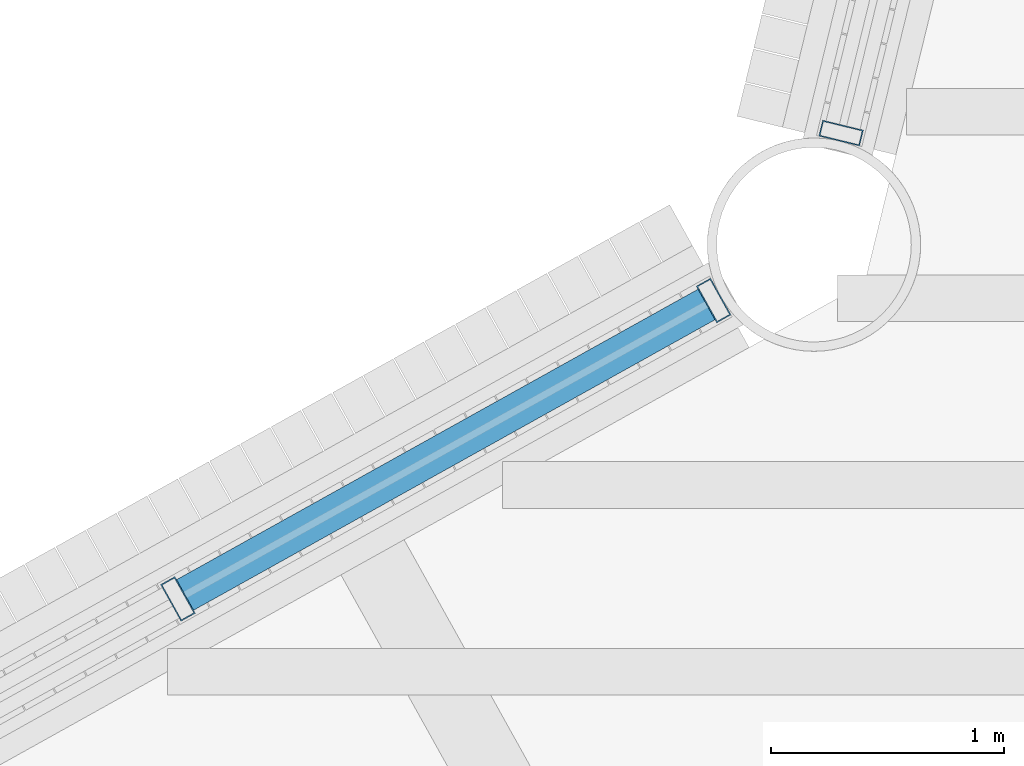
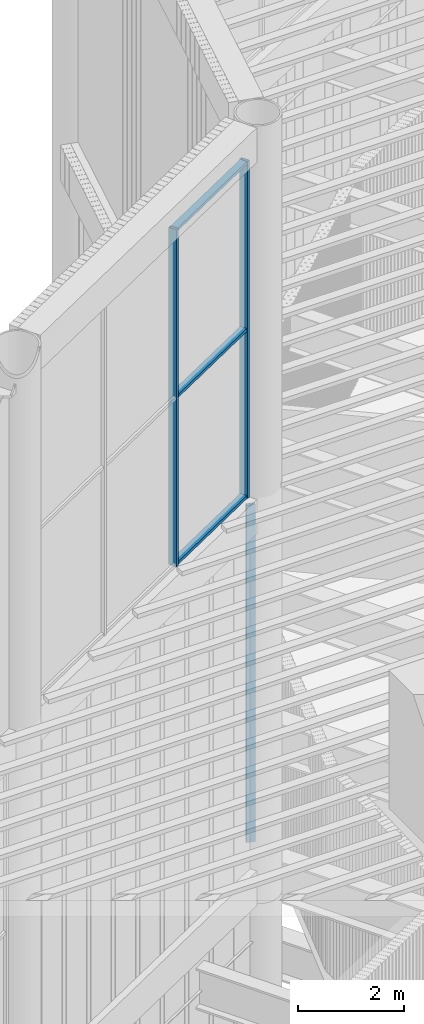
# One storey, part 38 of 117: 6 members, 2 elements without a shape of their own.
"""IFC4 building model written with IfcOpenShell, lengths in metres."""

from ifc_helpers import new_model, si_unit, direction, frame, origin, origin_2d, place, context, subcontext, project, spatial, hollow_rectangle, extrude, material, layer, layer_set, material_profile, profile_set, type_object, element, aggregate, save


model = new_model("IFC4")

# Units and contexts
model_context = context("Model", 3, precision=1e-05, world=origin(), true_north=direction((0.0, 1.0)))
body_context = subcontext(model_context, "Body", "Model", "MODEL_VIEW")
ifc_project = project(units=[si_unit("LENGTHUNIT", "METRE"), si_unit("AREAUNIT", "SQUARE_METRE"), si_unit("VOLUMEUNIT", "CUBIC_METRE"), si_unit("PLANEANGLEUNIT", "RADIAN"), si_unit("MASSUNIT", "GRAM", prefix="KILO")], contexts=[model_context])

# Site, building, storey
site_placement = place(None, origin())
site = spatial("IfcSite", under=ifc_project, at=site_placement, CompositionType="ELEMENT")
building_placement = place(site_placement, origin())
building = spatial("IfcBuilding", under=site, at=building_placement, Name="Tarsis Ring Headquarters", CompositionType="ELEMENT")
storey_placement = place(building_placement, frame((0.0, 0.0, 403.60009765625)))
storey = spatial("IfcBuildingStorey", under=building, at=storey_placement, Name="L95", CompositionType="ELEMENT", Elevation=403.60009765625)

# Curtain wall, member
ifc_material_1 = material(Name="Aluminium curtain wall", Category="aluminium")
ifc_layer = layer(ifc_material_1, 0.179931640625)
ifc_layer_set = layer_set([ifc_layer], Name="Curtain wall crown glazing")
curtain_wall_type = type_object("IfcCurtainWallType", Name="Curtain wall crown glazing", PredefinedType="NOTDEFINED", material=ifc_layer_set)
curtain_wall_1_placement = place(storey_placement, origin())
curtain_wall_1 = element("IfcCurtainWall", 1, at=curtain_wall_1_placement, inside=storey, type_object=curtain_wall_type, Name="Crown glazing L13", PredefinedType="NOTDEFINED")
ifc_material_2 = material(Name="Aluminium mullion", Category="aluminium")
ifc_material_profile_1 = material_profile(ifc_material_2, hollow_rectangle(XDim=0.179931640625, YDim=0.070068359375, WallThickness=0.0048828125, at=origin_2d()), Name="RHS 180x70x5")
ifc_profile_set_1 = profile_set([ifc_material_profile_1], Name="Aluminium mullion")
member_type_1 = type_object("IfcMemberType", Name="Crown glazing mullion RHS 180x70x5", PredefinedType="MULLION", material=ifc_profile_set_1)
member_1_placement = place(storey_placement, frame((-28.922119140625, 1.243408203125, 5.7998046875), z_axis=(0.0, 0.0, 1.0), x_axis=(0.971626473978, -0.236520601779, 0.0)))
member_1 = element("IfcMember", 2, at=member_1_placement, type_object=member_type_1, Name="CW-C mullion 5", PredefinedType="MULLION", context=body_context, shape_type="SweptSolid", body=[
    extrude(hollow_rectangle(XDim=0.179931640625, YDim=0.070068359375, WallThickness=0.0048828125, at=origin_2d()), origin(), (0.0, 0.0, 1.0), 7.800048828125),
])
aggregate(curtain_wall_1, [member_1])

# Curtain wall, members
curtain_wall_2_placement = place(storey_placement, origin())
curtain_wall_2 = element("IfcCurtainWall", 3, at=curtain_wall_2_placement, inside=storey, type_object=curtain_wall_type, Name="Crown glazing U14", PredefinedType="NOTDEFINED")
member_2_placement = place(storey_placement, frame((-29.46826171875, 0.526123046875, 14.39990234375), z_axis=(0.0, 0.0, 1.0), x_axis=(0.486640300948, -0.873602436748, 0.0)))
member_2 = element("IfcMember", 4, at=member_2_placement, type_object=member_type_1, Name="CW-C mullion 1", PredefinedType="MULLION", context=body_context, shape_type="SweptSolid", body=[
    extrude(hollow_rectangle(XDim=0.179931640625, YDim=0.070068359375, WallThickness=0.0048828125, at=origin_2d()), origin(), (0.0, 0.0, 1.0), 7.800048828125),
])
member_3_placement = place(storey_placement, frame((-31.763916015625, -0.752685546875, 14.39990234375), z_axis=(0.0, 0.0, 1.0), x_axis=(0.486640300948, -0.873602436748, 0.0)))
member_3 = element("IfcMember", 5, at=member_3_placement, type_object=member_type_1, Name="CW-C mullion 2", PredefinedType="MULLION", context=body_context, shape_type="SweptSolid", body=[
    extrude(hollow_rectangle(XDim=0.179931640625, YDim=0.070068359375, WallThickness=0.0048828125, at=origin_2d()), origin(), (0.0, 0.0, 1.0), 7.800048828125),
])
ifc_material_3 = material(Name="Aluminium transom", Category="aluminium")
ifc_material_profile_2 = material_profile(ifc_material_3, hollow_rectangle(XDim=0.14990234375, YDim=0.070068359375, WallThickness=0.0048828125, at=origin_2d()), Name="RHS 150x70x5")
ifc_profile_set_2 = profile_set([ifc_material_profile_2], Name="Aluminium transom")
member_type_2 = type_object("IfcMemberType", Name="Crown glazing transom RHS 150x70x5", PredefinedType="USERDEFINED", material=ifc_profile_set_2)
member_4_placement = place(storey_placement, frame((-29.498779296875, 0.509033203125, 14.434814453125), z_axis=(-0.873607398367, -0.486631393889, 0.0), x_axis=(0.486631393889, -0.873607398367, 0.0)))
member_4 = element("IfcMember", 6, at=member_4_placement, type_object=member_type_2, Name="CW-C transom 1.1", ObjectType="TRANSOM", PredefinedType="USERDEFINED", context=body_context, shape_type="SweptSolid", body=[
    extrude(hollow_rectangle(XDim=0.14990234375, YDim=0.070068359375, WallThickness=0.0048828125, at=origin_2d()), origin(), (0.0, 0.0, 1.0), 2.5576171875),
])
member_5_placement = place(storey_placement, frame((-29.498779296875, 0.509033203125, 18.2998046875), z_axis=(-0.873607398367, -0.486631393889, 0.0), x_axis=(0.486631393889, -0.873607398367, 0.0)))
member_5 = element("IfcMember", 7, at=member_5_placement, type_object=member_type_2, Name="CW-C transom 1.2", ObjectType="TRANSOM", PredefinedType="USERDEFINED", context=body_context, shape_type="SweptSolid", body=[
    extrude(hollow_rectangle(XDim=0.14990234375, YDim=0.070068359375, WallThickness=0.0048828125, at=origin_2d()), origin(), (0.0, 0.0, 1.0), 2.5576171875),
])
member_6_placement = place(storey_placement, frame((-29.498779296875, 0.509033203125, 22.164794921875), z_axis=(-0.873607398367, -0.486631393889, 0.0), x_axis=(0.486631393889, -0.873607398367, 0.0)))
member_6 = element("IfcMember", 8, at=member_6_placement, type_object=member_type_2, Name="CW-C transom 1.3", ObjectType="TRANSOM", PredefinedType="USERDEFINED", context=body_context, shape_type="SweptSolid", body=[
    extrude(hollow_rectangle(XDim=0.14990234375, YDim=0.070068359375, WallThickness=0.0048828125, at=origin_2d()), origin(), (0.0, 0.0, 1.0), 2.5576171875),
])
aggregate(curtain_wall_2, [member_2, member_3, member_4, member_5, member_6])

save(model, "model.ifc")
